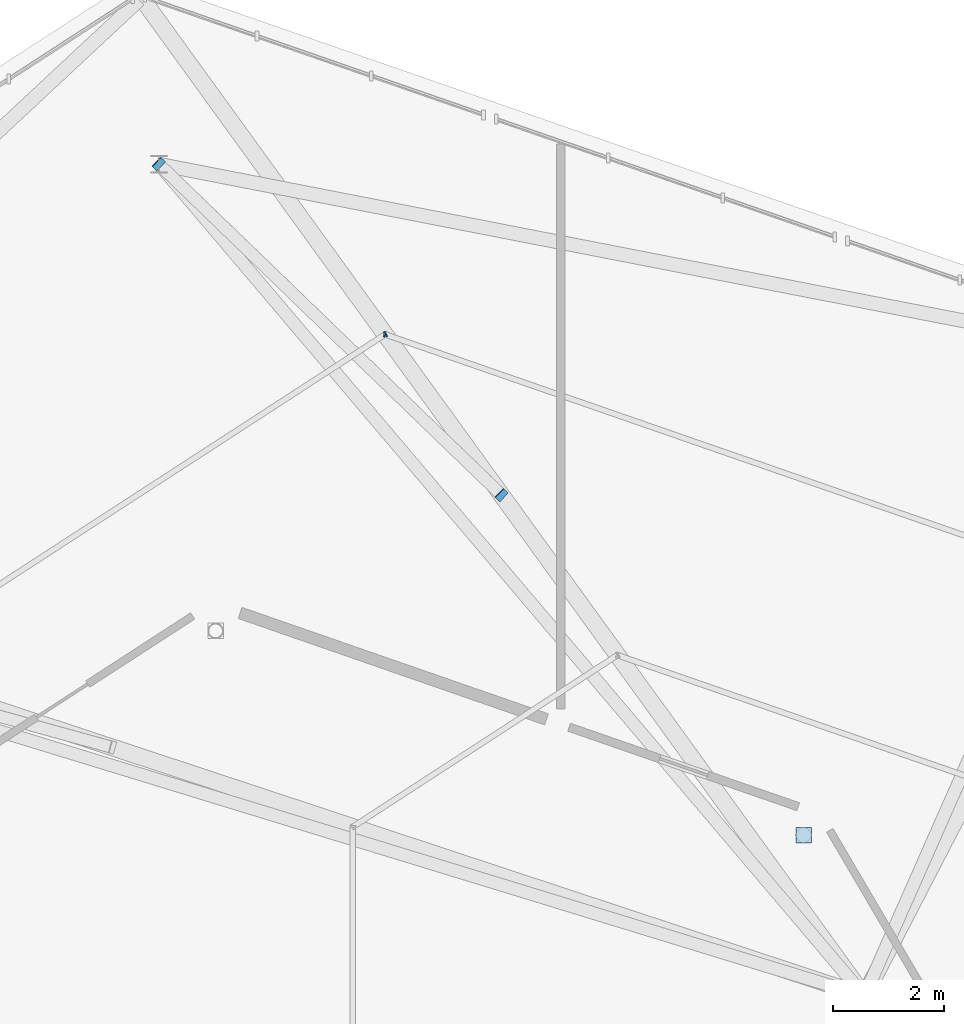
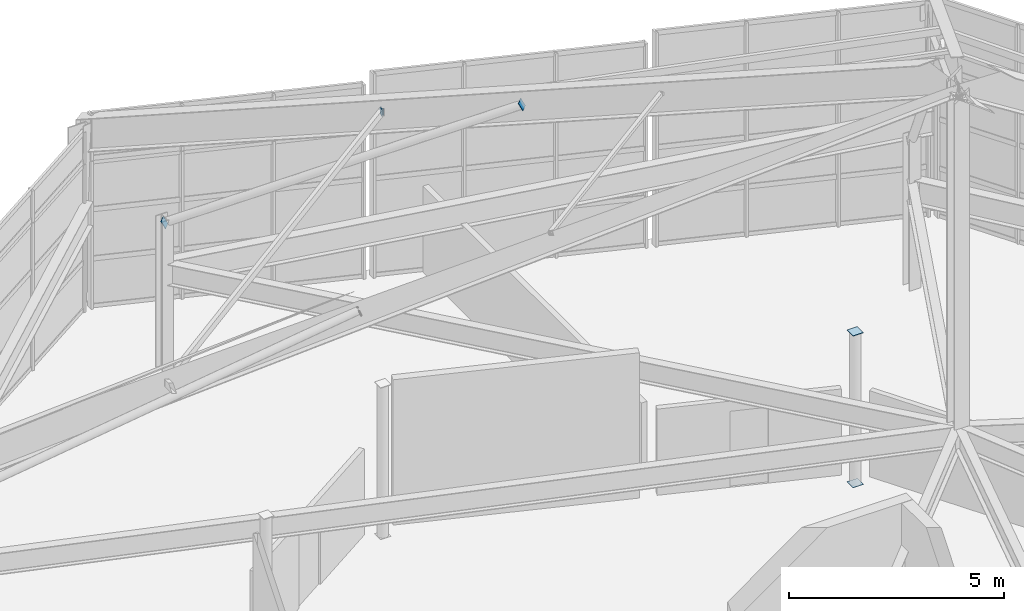
# One storey, part 37 of 50: 6 plates.
"""IFC4 building model written with IfcOpenShell, lengths in metres."""

from ifc_helpers import new_model, si_unit, direction, frame, origin, origin_2d, place, context, subcontext, project, spatial, rectangle, extrude, material, layer, layer_set, type_object, element, save


model = new_model("IFC4")

# Units and contexts
model_context = context("Model", 3, precision=1e-05, world=origin(), true_north=direction((0.0, 1.0)))
body_context = subcontext(model_context, "Body", "Model", "MODEL_VIEW")
ifc_project = project(units=[si_unit("LENGTHUNIT", "METRE"), si_unit("AREAUNIT", "SQUARE_METRE"), si_unit("VOLUMEUNIT", "CUBIC_METRE"), si_unit("PLANEANGLEUNIT", "RADIAN"), si_unit("MASSUNIT", "GRAM", prefix="KILO")], contexts=[model_context])

# Site, building, storey
site_placement = place(None, origin())
site = spatial("IfcSite", under=ifc_project, at=site_placement, CompositionType="ELEMENT")
building_placement = place(site_placement, origin())
building = spatial("IfcBuilding", under=site, at=building_placement, Name="Sarnbrook Museum", CompositionType="ELEMENT")
storey_placement = place(building_placement, frame((0.0, 0.0, 28.10009765625)))
storey = spatial("IfcBuildingStorey", under=building, at=storey_placement, Name="L05", CompositionType="ELEMENT", Elevation=28.10009765625)

# Plates
ifc_material = material(Name="Structural Steel Grade 350L0 (AS/NZS 3678, fy = 340 MPa for 20 < t <= 40 mm)", Category="steel")
ifc_layer_1 = layer(ifc_material, 0.01611328125)
ifc_layer_set_1 = layer_set([ifc_layer_1], Name="Structural Steel Grade 350L0 (AS/NZS 3678, fy = 340 MPa for 20 < t <= 40 mm)")
plate_type_1 = type_object("IfcPlateType", Name="EndCapPlate_CAP200x100", PredefinedType="USERDEFINED", material=ifc_layer_set_1)
for number, where, z_axis, x_axis, name in (
    (1, (140.874755859375, 105.408203125, 7.73291015625), (-0.943831214456, 0.327716870936, -0.042240870297), (-0.328009633927, -0.944674377789, 0.0), "Hollow End Cap Plate CRPR:5:1-2"),
    (2, (140.88818359375, 105.4169921875, 7.73388671875), (-0.836561260786, -0.542767082843, -0.074626742754), (0.544284800943, -0.838900503911, 0.0), "Hollow End Cap Plate CRPR:6:1-1"),
):
    element("IfcPlate", number, at=place(storey_placement, frame(where, z_axis=z_axis, x_axis=x_axis)), inside=storey, type_object=plate_type_1, Name=name, ObjectType="END CAP PLATE", PredefinedType="USERDEFINED", context=body_context, shape_type="SweptSolid", body=[
        extrude(rectangle(XDim=0.10009765625, YDim=0.199951171875, at=origin_2d()), origin(), (0.0, 0.0, 1.0), 0.01611328125),
    ])
ifc_layer_2 = layer(ifc_material, 0.01611328125)
ifc_layer_set_2 = layer_set([ifc_layer_2], Name="Structural Steel Grade 350L0 (AS/NZS 3678, fy = 340 MPa for 20 < t <= 40 mm)")
plate_type_2 = type_object("IfcPlateType", Name="EndCapPlate_CAP219", PredefinedType="USERDEFINED", material=ifc_layer_set_2)
for number, where, z_axis, x_axis, name in (
    (3, (136.7939453125, 108.479248046875, 4.14208984375), (0.627767890161, -0.606005487465, 0.488533340976), (0.694526161027, 0.719467450028, 0.0), "Hollow End Cap Plate CRTR:WEB:6-1"),
    (4, (142.965576171875, 102.521484375, 8.94482421875), (0.627767890161, -0.606005487465, 0.488533340976), (0.694526161027, 0.719467450028, 0.0), "Hollow End Cap Plate CRTR:WEB:6-2"),
):
    element("IfcPlate", number, at=place(storey_placement, frame(where, z_axis=z_axis, x_axis=x_axis)), inside=storey, type_object=plate_type_2, Name=name, ObjectType="END CAP PLATE", PredefinedType="USERDEFINED", context=body_context, shape_type="SweptSolid", body=[
        extrude(rectangle(XDim=0.22509765625, YDim=0.22509765625, at=origin_2d()), origin(), (0.0, 0.0, 1.0), 0.01611328125),
    ])
ifc_layer_3 = layer(ifc_material, 0.01611328125)
ifc_layer_set_3 = layer_set([ifc_layer_3], Name="Structural Steel Grade 350L0 (AS/NZS 3678, fy = 340 MPa for 20 < t <= 40 mm)")
plate_type_3 = type_object("IfcPlateType", Name="EndCapPlate_CAP273", PredefinedType="USERDEFINED", material=ifc_layer_set_3)
for number, where, z_axis, x_axis, name in (
    (5, (148.40576171875, 96.39599609375, -0.01611328125), (0.0, 0.0, 1.0), (1.0, 0.0, 0.0), "Hollow End Cap Plate COL:L05:V1R2-4-1"),
    (6, (148.40576171875, 96.39599609375, 4.2998046875), (0.0, 0.0, 1.0), (1.0, 0.0, 0.0), "Hollow End Cap Plate COL:L05:V1R2-4-2"),
):
    element("IfcPlate", number, at=place(storey_placement, frame(where, z_axis=z_axis, x_axis=x_axis)), inside=storey, type_object=plate_type_3, Name=name, ObjectType="END CAP PLATE", PredefinedType="USERDEFINED", context=body_context, shape_type="SweptSolid", body=[
        extrude(rectangle(XDim=0.280029296875, YDim=0.280029296875, at=origin_2d()), origin(), (0.0, 0.0, 1.0), 0.01611328125),
    ])

save(model, "model.ifc")
